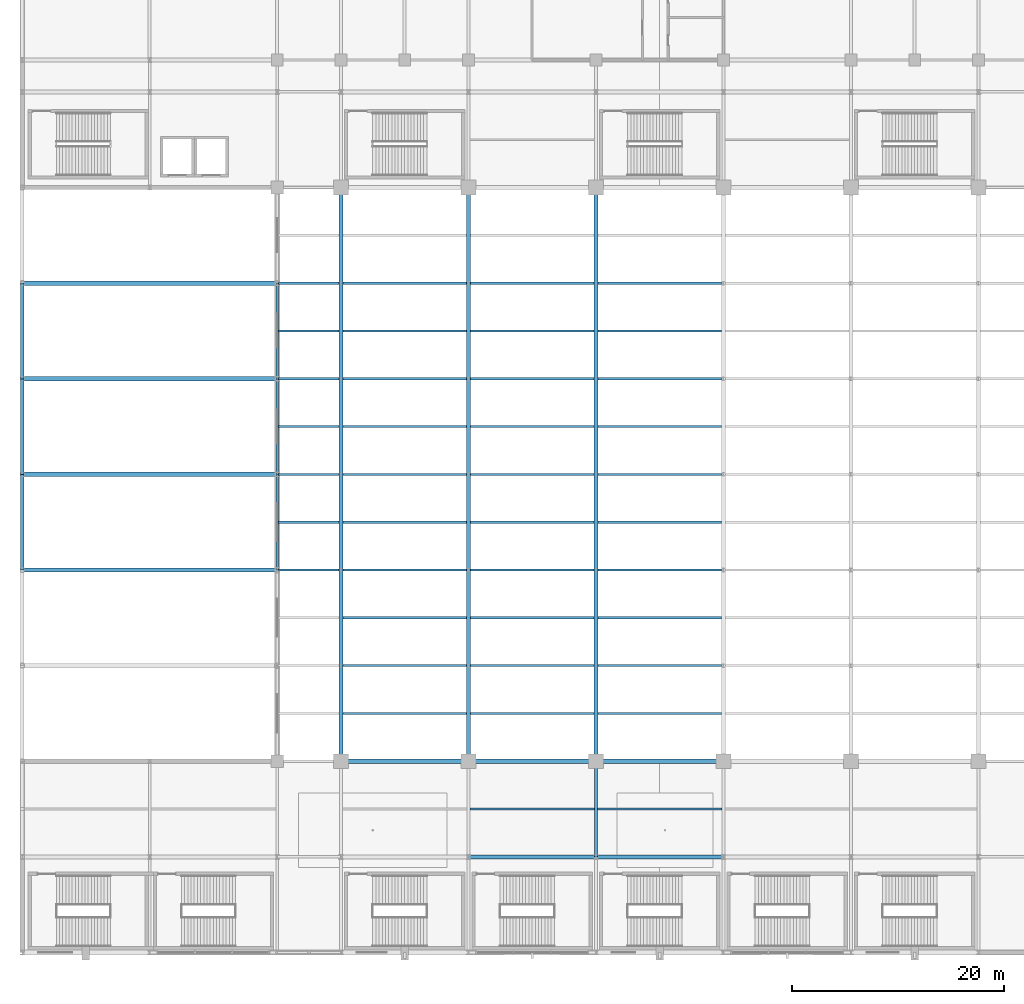
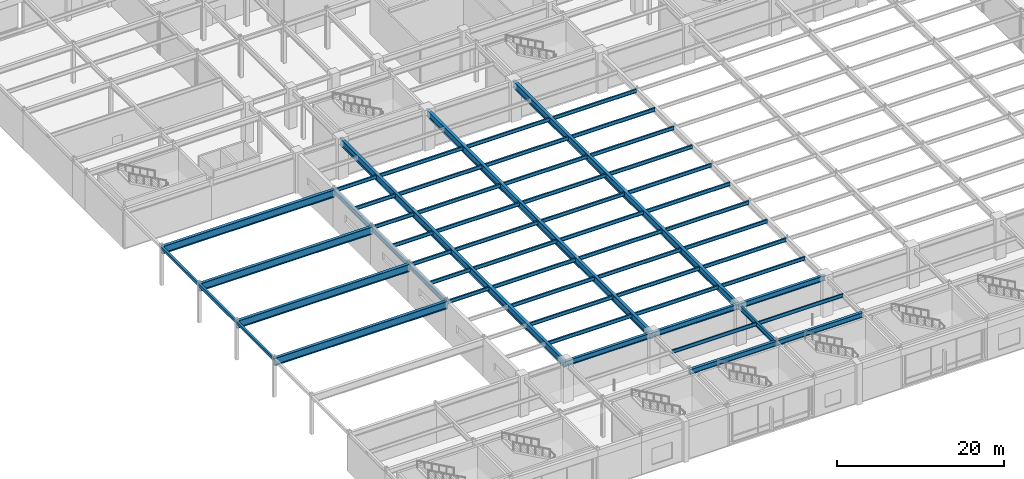
# One storey, part 21 of 105: 58 beams.
"""IFC4 building model written with IfcOpenShell, lengths in metres."""

import ifcopenshell
import ifcopenshell.guid

model = None  # the IFC model being written
_history = None  # IfcOwnerHistory: only IFC2X3 demands one
_inside = {}  # id of a spatial element -> (the spatial element, [elements in it])
_under = {}  # id of a project, library or spatial element -> (it, [spatial elements below it])
_declared = {}  # id of a project -> (the project, [libraries it declares])
_typed = {}  # id of a type object -> (the type object, [elements of that type])
_made_of = {}  # id of a material, layer set ... -> (it, [elements and type objects made of it])


def new_model(schema):
    """Start an empty IFC model of exactly this schema.

    Asked for "IFC4X3", IfcOpenShell would pick the latest addendum, in which some entities
    have other attributes; the version numbers below select the first issue.
    IFC2X3 requires an IfcOwnerHistory on every rooted entity: one is made here for all.
    """
    global model, _history
    if schema == "IFC4X3":
        model = ifcopenshell.file(schema_version=(4, 3, 0, 0))
    else:
        model = ifcopenshell.file(schema=schema)
    _inside.clear()
    _under.clear()
    _declared.clear()
    _typed.clear()
    _made_of.clear()
    _history = None
    if model.schema == "IFC2X3":
        org = make("IfcOrganization", Name="unknown")
        user = make(
            "IfcPersonAndOrganization",
            ThePerson=make("IfcPerson", FamilyName="unknown"),
            TheOrganization=org,
        )
        app = make(
            "IfcApplication",
            ApplicationDeveloper=org,
            Version="unknown",
            ApplicationFullName="unknown",
            ApplicationIdentifier="unknown",
        )
        _history = make(
            "IfcOwnerHistory",
            OwningUser=user,
            OwningApplication=app,
            ChangeAction="ADDED",
            CreationDate=0,
        )
    return model


def make(cls, **values):
    """One entity of the class cls with the attributes given. An attribute that is None is left unset."""
    return model.create_entity(
        cls, **{name: value for name, value in values.items() if value is not None}
    )


def rooted(cls, **values):
    """An entity with a GlobalId (a new one), such as an element, a storey or a relation."""
    return make(cls, GlobalId=ifcopenshell.guid.new(), OwnerHistory=_history, **values)


def si_unit(unit_type, name, prefix=None):
    """IfcSIUnit, for example si_unit("LENGTHUNIT", "METRE", prefix="MILLI")."""
    return make("IfcSIUnit", UnitType=unit_type, Prefix=prefix, Name=name)


def assignment(units):
    """IfcUnitAssignment: the units of a project."""
    return None if units is None else make("IfcUnitAssignment", Units=units)


def point(xyz):
    """IfcCartesianPoint."""
    return None if xyz is None else make("IfcCartesianPoint", Coordinates=xyz)


def direction(xyz):
    """IfcDirection."""
    return None if xyz is None else make("IfcDirection", DirectionRatios=xyz)


def frame(location, z_axis=None, x_axis=None):
    """IfcAxis2Placement3D, a coordinate frame: its origin and axes. An axis left out is left unset."""
    return make(
        "IfcAxis2Placement3D",
        Location=point(location),
        Axis=direction(z_axis),
        RefDirection=direction(x_axis),
    )


def frame_2d(location, x_axis=None):
    """IfcAxis2Placement2D, a coordinate frame in the plane: its origin and x axis."""
    return make(
        "IfcAxis2Placement2D", Location=point(location), RefDirection=direction(x_axis)
    )


def origin():
    """The frame at (0, 0, 0) with its axes left unset."""
    return frame((0.0, 0.0, 0.0))


def origin_2d():
    """The frame at (0, 0) in the plane with its x axis left unset."""
    return frame_2d((0.0, 0.0))


def place(relative_to, where):
    """IfcLocalPlacement: puts the frame where relative to a parent placement (None: the world)."""
    return make(
        "IfcLocalPlacement", PlacementRelTo=relative_to, RelativePlacement=where
    )


def context(
    kind, dimensions, precision=None, world=None, true_north=None, identifier=None
):
    """IfcGeometricRepresentationContext, for example the 3D "Model" context."""
    return make(
        "IfcGeometricRepresentationContext",
        ContextIdentifier=identifier,
        ContextType=kind,
        CoordinateSpaceDimension=dimensions,
        Precision=precision,
        WorldCoordinateSystem=world,
        TrueNorth=true_north,
    )


def subcontext(parent, identifier, kind, view, scale=None):
    """IfcGeometricRepresentationSubContext, for example "Body" below "Model"."""
    return make(
        "IfcGeometricRepresentationSubContext",
        ContextIdentifier=identifier,
        ContextType=kind,
        ParentContext=parent,
        TargetScale=scale,
        TargetView=view,
    )


def project(units=None, contexts=None):
    """IfcProject with its units and contexts."""
    return rooted(
        "IfcProject",
        Name="project",
        RepresentationContexts=contexts,
        UnitsInContext=assignment(units),
    )


def spatial(cls, under=None, at=None, **own):
    """A site, building, storey or space (cls), placed at a placement, below another one or the project."""
    s = rooted(cls, ObjectPlacement=at, **own)
    if under is not None:
        _under.setdefault(under.id(), (under, []))[1].append(s)
    return s


def profile(cls, at=None, kind="AREA", **sizes):
    """A parametric profile (cls). Its sizes go by their IFC names, for example OverallWidth=200.0."""
    return make(cls, ProfileType=kind, Position=at, **sizes)


def hollow_rectangle(**sizes):
    """IfcRectangleHollowProfileDef."""
    return profile("IfcRectangleHollowProfileDef", **sizes)


def i_section(**sizes):
    """IfcIShapeProfileDef."""
    return profile("IfcIShapeProfileDef", **sizes)


def extrude(swept, where, along, depth):
    """IfcExtrudedAreaSolid: the profile swept, set in the frame where, extruded along a direction by depth."""
    return make(
        "IfcExtrudedAreaSolid",
        SweptArea=swept,
        Position=where,
        ExtrudedDirection=direction(along),
        Depth=depth,
    )


def shape(context_of_items, identifier, shape_type, items):
    """IfcShapeRepresentation: the items that make up one representation, for example the "Body"."""
    return make(
        "IfcShapeRepresentation",
        ContextOfItems=context_of_items,
        RepresentationIdentifier=identifier,
        RepresentationType=shape_type,
        Items=items,
    )


def material(Name=None, Category=None):
    """IfcMaterial."""
    return make("IfcMaterial", Name=Name, Category=Category)


def material_profile(
    of_material, cross_section, Name=None, Category=None, Priority=None
):
    """IfcMaterialProfile: a cross section and its material."""
    return make(
        "IfcMaterialProfile",
        Name=Name,
        Material=of_material,
        Profile=cross_section,
        Priority=Priority,
        Category=Category,
    )


def profile_set(profiles, Name=None, composite=None):
    """IfcMaterialProfileSet."""
    return make(
        "IfcMaterialProfileSet",
        Name=Name,
        MaterialProfiles=profiles,
        CompositeProfile=composite,
    )


def made_of(thing, what):
    """Note that an element or type object is made of a material, layer set ...; save() writes the relation."""
    if what is not None:
        _made_of.setdefault(what.id(), (what, []))[1].append(thing)
    return thing


def type_object(cls, material=None, **own):
    """A type object (cls), such as IfcWallType, which elements share."""
    return made_of(rooted(cls, **own), material)


def element(
    cls,
    number,
    at=None,
    inside=None,
    cuts=None,
    type_object=None,
    material=None,
    context=None,
    identifier="Body",
    shape_type=None,
    held_by="IfcProductDefinitionShape",
    body=None,
    shapes=None,
    **own,
):
    """One element of the class cls, such as IfcWall. Its Tag is "e" and its number.

    at: its placement. inside: the storey or other place that contains it. cuts: it is an
    opening in that element (IfcRelVoidsElement). A single representation is given by context,
    identifier, shape_type and body (its items); several are given by shapes. held_by: the class
    of the entity that holds the representations. save() writes the other relations.
    """
    e = rooted(cls, Tag="e%d" % number, ObjectPlacement=at, **own)
    if body is not None:
        shapes = [shape(context, identifier, shape_type, body)]
    if shapes is not None:
        e.Representation = make(held_by, Representations=shapes)
    if inside is not None:
        _inside.setdefault(inside.id(), (inside, []))[1].append(e)
    if cuts is not None:
        rooted(
            "IfcRelVoidsElement", RelatingBuildingElement=cuts, RelatedOpeningElement=e
        )
    if type_object is not None:
        _typed.setdefault(type_object.id(), (type_object, []))[1].append(e)
    return made_of(e, material)


def aggregate(whole, parts):
    """IfcRelAggregates: a whole, such as a stair, and the parts it consists of."""
    return rooted("IfcRelAggregates", RelatingObject=whole, RelatedObjects=parts)


def save(model, path):
    """Write the relations noted so far, then the file.

    IfcRelAggregates (storeys below a building ...), IfcRelContainedInSpatialStructure (elements
    in a storey), IfcRelDefinesByType, IfcRelAssociatesMaterial and IfcRelDeclares: one each for
    every whole, place, type object, material and project.
    """
    for whole, parts in _under.values():
        aggregate(whole, parts)
    for where, things in _inside.values():
        rooted(
            "IfcRelContainedInSpatialStructure",
            RelatedElements=things,
            RelatingStructure=where,
        )
    for kind, things in _typed.values():
        rooted("IfcRelDefinesByType", RelatedObjects=things, RelatingType=kind)
    for what, things in _made_of.values():
        rooted("IfcRelAssociatesMaterial", RelatedObjects=things, RelatingMaterial=what)
    for by, libraries in _declared.values():
        rooted("IfcRelDeclares", RelatingContext=by, RelatedDefinitions=libraries)
    model.write(path)


model = new_model("IFC4")

# Units and contexts
model_context = context("Model", 3, precision=1e-05, world=origin(), true_north=direction((0.0, 1.0)))
body_context = subcontext(model_context, "Body", "Model", "MODEL_VIEW")
ifc_project = project(units=[si_unit("LENGTHUNIT", "METRE"), si_unit("AREAUNIT", "SQUARE_METRE"), si_unit("VOLUMEUNIT", "CUBIC_METRE"), si_unit("PLANEANGLEUNIT", "RADIAN"), si_unit("MASSUNIT", "GRAM", prefix="KILO")], contexts=[model_context])

# Site, building, storey
site_placement = place(None, origin())
site = spatial("IfcSite", under=ifc_project, at=site_placement, CompositionType="ELEMENT")
building_placement = place(site_placement, origin())
building = spatial("IfcBuilding", under=site, at=building_placement, Name="Kaldorvane Square Convention Centre", CompositionType="ELEMENT")
storey_placement = place(building_placement, frame((0.0, 0.0, 6.0)))
storey = spatial("IfcBuildingStorey", under=building, at=storey_placement, Name="L01", CompositionType="ELEMENT", Elevation=6.0)

# Beams
ifc_material_1 = material(Name="Steel ASTM A992 Gr. 50", Category="steel")
ifc_material_profile_1 = material_profile(ifc_material_1, i_section(OverallWidth=0.2666015625, OverallDepth=0.762298583984375, WebThickness=0.014404296875, FlangeThickness=0.0216064453125, FilletRadius=0.0164947509765625, at=origin_2d()), Name="W30X116")
ifc_profile_set_1 = profile_set([ifc_material_profile_1], Name="Steel ASTM A992 Gr. 50")
beam_type_1 = type_object("IfcBeamType", Name="BM-GR-W30X116", PredefinedType="BEAM", material=ifc_profile_set_1)
for number, where, z_axis, x_axis, name in (
    (1, (24.0, 36.0, 5.2949066162109375), (0.0, 1.0, 0.0), (-1.0, 0.0, 0.0), "Transverse Girder (L01)"),
    (2, (24.0, 45.0, 5.2949066162109375), (0.0, 1.0, 0.0), (-1.0, 0.0, 0.0), "Transverse Girder (L01)"),
    (3, (24.0, 54.0, 5.2949066162109375), (0.0, 1.0, 0.0), (-1.0, 0.0, 0.0), "Transverse Girder (L01)"),
    (4, (54.0, 9.0, 5.2949066162109375), (0.0, 1.0, 0.0), (-1.0, 0.0, 0.0), "Transverse Girder (L01)"),
):
    element("IfcBeam", number, at=place(storey_placement, frame(where, z_axis=z_axis, x_axis=x_axis)), inside=storey, type_object=beam_type_1, Name=name, PredefinedType="BEAM", context=body_context, shape_type="SweptSolid", body=[
        extrude(i_section(OverallWidth=0.2666015625, OverallDepth=0.762298583984375, WebThickness=0.014404296875, FlangeThickness=0.0216064453125, FilletRadius=0.0164947509765625, at=origin_2d()), origin(), (0.0, 0.0, 1.0), 9.0),
    ])
ifc_material_profile_2 = material_profile(ifc_material_1, i_section(OverallWidth=0.380706787109375, OverallDepth=0.773193359375, WebThickness=0.0166015625, FlangeThickness=0.027099609375, FilletRadius=0.0164947509765625, at=origin_2d()), Name="W30X173")
ifc_profile_set_2 = profile_set([ifc_material_profile_2], Name="Steel ASTM A992 Gr. 50")
beam_type_2 = type_object("IfcBeamType", Name="BM-GR-W30X173", PredefinedType="BEAM", material=ifc_profile_set_2)
for number, where, z_axis, x_axis, name in (
    (5, (42.0, 9.0, 5.289398193359375), (1.0, 0.0, 0.0), (0.0, 1.0, 0.0), "Primary Girder (L01)"),
    (6, (54.0, 9.0, 5.289398193359375), (1.0, 0.0, 0.0), (0.0, 1.0, 0.0), "Primary Girder (L01)"),
    (7, (30.0, 18.0, 5.289398193359375), (1.0, 0.0, 0.0), (0.0, 1.0, 0.0), "Primary Girder (L01)"),
    (8, (42.0, 18.0, 5.289398193359375), (1.0, 0.0, 0.0), (0.0, 1.0, 0.0), "Primary Girder (L01)"),
    (9, (54.0, 18.0, 5.289398193359375), (1.0, 0.0, 0.0), (0.0, 1.0, 0.0), "Primary Girder (L01)"),
):
    element("IfcBeam", number, at=place(storey_placement, frame(where, z_axis=z_axis, x_axis=x_axis)), inside=storey, type_object=beam_type_2, Name=name, PredefinedType="BEAM", context=body_context, shape_type="SweptSolid", body=[
        extrude(i_section(OverallWidth=0.380706787109375, OverallDepth=0.773193359375, WebThickness=0.0166015625, FlangeThickness=0.027099609375, FilletRadius=0.0164947509765625, at=origin_2d()), origin(), (0.0, 0.0, 1.0), 12.0),
    ])
ifc_material_profile_3 = material_profile(ifc_material_1, i_section(OverallWidth=0.404998779296875, OverallDepth=1.1179962158203125, WebThickness=0.0261993408203125, FlangeThickness=0.0449981689453125, FilletRadius=0.0254058837890625, at=origin_2d()), Name="W44X335")
ifc_profile_set_3 = profile_set([ifc_material_profile_3], Name="Steel ASTM A992 Gr. 50")
beam_type_3 = type_object("IfcBeamType", Name="BM-GR-W44X335", PredefinedType="BEAM", material=ifc_profile_set_3)
for number, where, z_axis, x_axis, name in (
    (10, (0.0, 36.0, 5.11700439453125), (1.0, 0.0, 0.0), (0.0, 1.0, 0.0), "Service Yard Long-Span Girder (L01)"),
    (11, (0.0, 45.0, 5.11700439453125), (1.0, 0.0, 0.0), (0.0, 1.0, 0.0), "Service Yard Long-Span Girder (L01)"),
    (12, (0.0, 54.0, 5.11700439453125), (1.0, 0.0, 0.0), (0.0, 1.0, 0.0), "Service Yard Long-Span Girder (L01)"),
    (13, (0.0, 63.0, 5.11700439453125), (1.0, 0.0, 0.0), (0.0, 1.0, 0.0), "Service Yard Long-Span Girder (L01)"),
):
    element("IfcBeam", number, at=place(storey_placement, frame(where, z_axis=z_axis, x_axis=x_axis)), inside=storey, type_object=beam_type_3, Name=name, PredefinedType="BEAM", context=body_context, shape_type="SweptSolid", body=[
        extrude(i_section(OverallWidth=0.404998779296875, OverallDepth=1.1179962158203125, WebThickness=0.0261993408203125, FlangeThickness=0.0449981689453125, FilletRadius=0.0254058837890625, at=origin_2d()), origin(), (0.0, 0.0, 1.0), 24.0),
    ])
ifc_material_profile_4 = material_profile(ifc_material_1, i_section(OverallWidth=0.1658935546875, OverallDepth=0.5290985107421875, WebThickness=0.00970458984375, FlangeThickness=0.0135955810546875, FilletRadius=0.0126953125, at=origin_2d()), Name="W21X50")
ifc_profile_set_4 = profile_set([ifc_material_profile_4], Name="Steel ASTM A992 Gr. 50")
beam_type_4 = type_object("IfcBeamType", Name="BM-JS-W21X50", PredefinedType="JOIST", material=ifc_profile_set_4)
for number, where, z_axis, x_axis, name in (
    (14, (42.13330078125, 13.5, 5.4114990234375), (1.0, 0.0, 0.0), (0.0, 1.0, 0.0), "Secondary Floor Joist (L01)"),
    (15, (54.13330078125, 13.5, 5.4114990234375), (1.0, 0.0, 0.0), (0.0, 1.0, 0.0), "Secondary Floor Joist (L01)"),
):
    element("IfcBeam", number, at=place(storey_placement, frame(where, z_axis=z_axis, x_axis=x_axis)), inside=storey, type_object=beam_type_4, Name=name, PredefinedType="JOIST", context=body_context, shape_type="SweptSolid", body=[
        extrude(i_section(OverallWidth=0.1658935546875, OverallDepth=0.5290985107421875, WebThickness=0.00970458984375, FlangeThickness=0.0135955810546875, FilletRadius=0.0126953125, at=origin_2d()), origin(), (0.0, 0.0, 1.0), 11.7333984375),
    ])
ifc_material_profile_5 = material_profile(ifc_material_1, i_section(OverallWidth=0.2100982666015625, OverallDepth=0.5366973876953125, WebThickness=0.010894775390625, FlangeThickness=0.01739501953125, FilletRadius=0.0126953125, at=origin_2d()), Name="W21X68")
ifc_profile_set_5 = profile_set([ifc_material_profile_5], Name="Steel ASTM A992 Gr. 50")
beam_type_5 = type_object("IfcBeamType", Name="BM-JS-W21X68", PredefinedType="JOIST", material=ifc_profile_set_5)
for number, where, z_axis, x_axis, name in (
    (16, (24.13330078125, 36.0, 5.4076995849609375), (1.0, 0.0, 0.0), (0.0, 1.0, 0.0), "Hall Composite Floor Joist (L01)"),
    (17, (24.13330078125, 40.5, 5.4076995849609375), (1.0, 0.0, 0.0), (0.0, 1.0, 0.0), "Hall Composite Floor Joist (L01)"),
    (18, (24.13330078125, 45.0, 5.4076995849609375), (1.0, 0.0, 0.0), (0.0, 1.0, 0.0), "Hall Composite Floor Joist (L01)"),
    (19, (24.13330078125, 49.5, 5.4076995849609375), (1.0, 0.0, 0.0), (0.0, 1.0, 0.0), "Hall Composite Floor Joist (L01)"),
    (20, (24.13330078125, 54.0, 5.4076995849609375), (1.0, 0.0, 0.0), (0.0, 1.0, 0.0), "Hall Composite Floor Joist (L01)"),
    (21, (24.13330078125, 58.5, 5.4076995849609375), (1.0, 0.0, 0.0), (0.0, 1.0, 0.0), "Hall Composite Floor Joist (L01)"),
    (22, (24.13330078125, 63.0, 5.4076995849609375), (1.0, 0.0, 0.0), (0.0, 1.0, 0.0), "Hall Composite Floor Joist (L01)"),
):
    element("IfcBeam", number, at=place(storey_placement, frame(where, z_axis=z_axis, x_axis=x_axis)), inside=storey, type_object=beam_type_5, Name=name, PredefinedType="JOIST", context=body_context, shape_type="SweptSolid", body=[
        extrude(i_section(OverallWidth=0.2100982666015625, OverallDepth=0.5366973876953125, WebThickness=0.010894775390625, FlangeThickness=0.01739501953125, FilletRadius=0.0126953125, at=origin_2d()), origin(), (0.0, 0.0, 1.0), 5.665802001953125),
    ])
for number, where, z_axis, x_axis, name in (
    (23, (30.200897216796875, 22.5, 5.4076995849609375), (1.0, 0.0, 0.0), (0.0, 1.0, 0.0), "Hall Composite Floor Joist (L01)"),
    (24, (30.200897216796875, 27.0, 5.4076995849609375), (1.0, 0.0, 0.0), (0.0, 1.0, 0.0), "Hall Composite Floor Joist (L01)"),
    (25, (30.200897216796875, 31.5, 5.4076995849609375), (1.0, 0.0, 0.0), (0.0, 1.0, 0.0), "Hall Composite Floor Joist (L01)"),
    (26, (30.200897216796875, 36.0, 5.4076995849609375), (1.0, 0.0, 0.0), (0.0, 1.0, 0.0), "Hall Composite Floor Joist (L01)"),
    (27, (30.200897216796875, 40.5, 5.4076995849609375), (1.0, 0.0, 0.0), (0.0, 1.0, 0.0), "Hall Composite Floor Joist (L01)"),
    (28, (30.200897216796875, 45.0, 5.4076995849609375), (1.0, 0.0, 0.0), (0.0, 1.0, 0.0), "Hall Composite Floor Joist (L01)"),
    (29, (30.200897216796875, 49.5, 5.4076995849609375), (1.0, 0.0, 0.0), (0.0, 1.0, 0.0), "Hall Composite Floor Joist (L01)"),
    (30, (30.200897216796875, 54.0, 5.4076995849609375), (1.0, 0.0, 0.0), (0.0, 1.0, 0.0), "Hall Composite Floor Joist (L01)"),
    (31, (30.200897216796875, 58.5, 5.4076995849609375), (1.0, 0.0, 0.0), (0.0, 1.0, 0.0), "Hall Composite Floor Joist (L01)"),
    (32, (30.200897216796875, 63.0, 5.4076995849609375), (1.0, 0.0, 0.0), (0.0, 1.0, 0.0), "Hall Composite Floor Joist (L01)"),
    (33, (42.200897216796875, 22.5, 5.4076995849609375), (1.0, 0.0, 0.0), (0.0, 1.0, 0.0), "Hall Composite Floor Joist (L01)"),
    (34, (42.200897216796875, 27.0, 5.4076995849609375), (1.0, 0.0, 0.0), (0.0, 1.0, 0.0), "Hall Composite Floor Joist (L01)"),
    (35, (42.200897216796875, 31.5, 5.4076995849609375), (1.0, 0.0, 0.0), (0.0, 1.0, 0.0), "Hall Composite Floor Joist (L01)"),
    (36, (42.200897216796875, 36.0, 5.4076995849609375), (1.0, 0.0, 0.0), (0.0, 1.0, 0.0), "Hall Composite Floor Joist (L01)"),
    (37, (42.200897216796875, 40.5, 5.4076995849609375), (1.0, 0.0, 0.0), (0.0, 1.0, 0.0), "Hall Composite Floor Joist (L01)"),
    (38, (42.200897216796875, 45.0, 5.4076995849609375), (1.0, 0.0, 0.0), (0.0, 1.0, 0.0), "Hall Composite Floor Joist (L01)"),
    (39, (42.200897216796875, 49.5, 5.4076995849609375), (1.0, 0.0, 0.0), (0.0, 1.0, 0.0), "Hall Composite Floor Joist (L01)"),
    (40, (42.200897216796875, 54.0, 5.4076995849609375), (1.0, 0.0, 0.0), (0.0, 1.0, 0.0), "Hall Composite Floor Joist (L01)"),
    (41, (42.200897216796875, 58.5, 5.4076995849609375), (1.0, 0.0, 0.0), (0.0, 1.0, 0.0), "Hall Composite Floor Joist (L01)"),
    (42, (42.200897216796875, 63.0, 5.4076995849609375), (1.0, 0.0, 0.0), (0.0, 1.0, 0.0), "Hall Composite Floor Joist (L01)"),
):
    element("IfcBeam", number, at=place(storey_placement, frame(where, z_axis=z_axis, x_axis=x_axis)), inside=storey, type_object=beam_type_5, Name=name, PredefinedType="JOIST", context=body_context, shape_type="SweptSolid", body=[
        extrude(i_section(OverallWidth=0.2100982666015625, OverallDepth=0.5366973876953125, WebThickness=0.010894775390625, FlangeThickness=0.01739501953125, FilletRadius=0.0126953125, at=origin_2d()), origin(), (0.0, 0.0, 1.0), 11.59820556640625),
    ])
for number, where, z_axis, x_axis, name in (
    (43, (54.200897216796875, 22.5, 5.4076995849609375), (1.0, 0.0, 0.0), (0.0, 1.0, 0.0), "Hall Composite Floor Joist (L01)"),
    (44, (54.200897216796875, 27.0, 5.4076995849609375), (1.0, 0.0, 0.0), (0.0, 1.0, 0.0), "Hall Composite Floor Joist (L01)"),
    (45, (54.200897216796875, 31.5, 5.4076995849609375), (1.0, 0.0, 0.0), (0.0, 1.0, 0.0), "Hall Composite Floor Joist (L01)"),
    (46, (54.200897216796875, 36.0, 5.4076995849609375), (1.0, 0.0, 0.0), (0.0, 1.0, 0.0), "Hall Composite Floor Joist (L01)"),
    (47, (54.200897216796875, 40.5, 5.4076995849609375), (1.0, 0.0, 0.0), (0.0, 1.0, 0.0), "Hall Composite Floor Joist (L01)"),
    (48, (54.200897216796875, 45.0, 5.4076995849609375), (1.0, 0.0, 0.0), (0.0, 1.0, 0.0), "Hall Composite Floor Joist (L01)"),
    (49, (54.200897216796875, 49.5, 5.4076995849609375), (1.0, 0.0, 0.0), (0.0, 1.0, 0.0), "Hall Composite Floor Joist (L01)"),
    (50, (54.200897216796875, 54.0, 5.4076995849609375), (1.0, 0.0, 0.0), (0.0, 1.0, 0.0), "Hall Composite Floor Joist (L01)"),
    (51, (54.200897216796875, 58.5, 5.4076995849609375), (1.0, 0.0, 0.0), (0.0, 1.0, 0.0), "Hall Composite Floor Joist (L01)"),
    (52, (54.200897216796875, 63.0, 5.4076995849609375), (1.0, 0.0, 0.0), (0.0, 1.0, 0.0), "Hall Composite Floor Joist (L01)"),
):
    element("IfcBeam", number, at=place(storey_placement, frame(where, z_axis=z_axis, x_axis=x_axis)), inside=storey, type_object=beam_type_5, Name=name, PredefinedType="JOIST", context=body_context, shape_type="SweptSolid", body=[
        extrude(i_section(OverallWidth=0.2100982666015625, OverallDepth=0.5366973876953125, WebThickness=0.010894775390625, FlangeThickness=0.01739501953125, FilletRadius=0.0126953125, at=origin_2d()), origin(), (0.0, 0.0, 1.0), 11.598098754882812),
    ])
ifc_material_2 = material(Name="Steel ASTM A500 Gr. C", Category="steel")
ifc_material_profile_6 = material_profile(ifc_material_2, hollow_rectangle(XDim=0.3047943115234375, YDim=0.406402587890625, WallThickness=0.0117950439453125, at=origin_2d()), Name="HSS16X12X1/2")
ifc_profile_set_6 = profile_set([ifc_material_profile_6], Name="Steel ASTM A500 Gr. C")
beam_type_6 = type_object("IfcBeamType", Name="BM-SP-HSS16", PredefinedType="SPANDREL", material=ifc_profile_set_6)
for number, where, z_axis, x_axis, name in (
    (53, (0.0, 36.0, 5.4727935791015625), (0.0, 1.0, 0.0), (-1.0, 0.0, 0.0), "End Spandrel (L01)"),
    (54, (0.0, 45.0, 5.4727935791015625), (0.0, 1.0, 0.0), (-1.0, 0.0, 0.0), "End Spandrel (L01)"),
    (55, (0.0, 54.0, 5.4727935791015625), (0.0, 1.0, 0.0), (-1.0, 0.0, 0.0), "End Spandrel (L01)"),
):
    element("IfcBeam", number, at=place(storey_placement, frame(where, z_axis=z_axis, x_axis=x_axis)), inside=storey, type_object=beam_type_6, Name=name, PredefinedType="SPANDREL", context=body_context, shape_type="SweptSolid", body=[
        extrude(hollow_rectangle(XDim=0.3047943115234375, YDim=0.406402587890625, WallThickness=0.0117950439453125, at=origin_2d()), origin(), (0.0, 0.0, 1.0), 9.0),
    ])
ifc_material_profile_7 = material_profile(ifc_material_1, i_section(OverallWidth=0.4019012451171875, OverallDepth=1.01190185546875, WebThickness=0.0236053466796875, FlangeThickness=0.041900634765625, FilletRadius=0.0305023193359375, at=origin_2d()), Name="W40X297")
ifc_profile_set_7 = profile_set([ifc_material_profile_7], Name="Steel ASTM A992 Gr. 50")
beam_type_7 = type_object("IfcBeamType", Name="BM-TG-W40X297", PredefinedType="USERDEFINED", material=ifc_profile_set_7)
for number, where, z_axis, x_axis, name in (
    (56, (30.0, 18.0, 5.1699981689453125), (0.0, 1.0, 0.0), (-1.0, 0.0, 0.0), "Exhibition Hall Ceiling Girder HG-01"),
    (57, (42.0, 18.0, 5.1699981689453125), (0.0, 1.0, 0.0), (-1.0, 0.0, 0.0), "Exhibition Hall Ceiling Girder HG-02"),
    (58, (54.0, 18.0, 5.1699981689453125), (0.0, 1.0, 0.0), (-1.0, 0.0, 0.0), "Exhibition Hall Ceiling Girder HG-03"),
):
    element("IfcBeam", number, at=place(storey_placement, frame(where, z_axis=z_axis, x_axis=x_axis)), inside=storey, type_object=beam_type_7, Name=name, ObjectType="TRANSFER GIRDER", PredefinedType="USERDEFINED", context=body_context, shape_type="SweptSolid", body=[
        extrude(i_section(OverallWidth=0.4019012451171875, OverallDepth=1.01190185546875, WebThickness=0.0236053466796875, FlangeThickness=0.041900634765625, FilletRadius=0.0305023193359375, at=origin_2d()), origin(), (0.0, 0.0, 1.0), 54.0),
    ])

save(model, "model.ifc")
